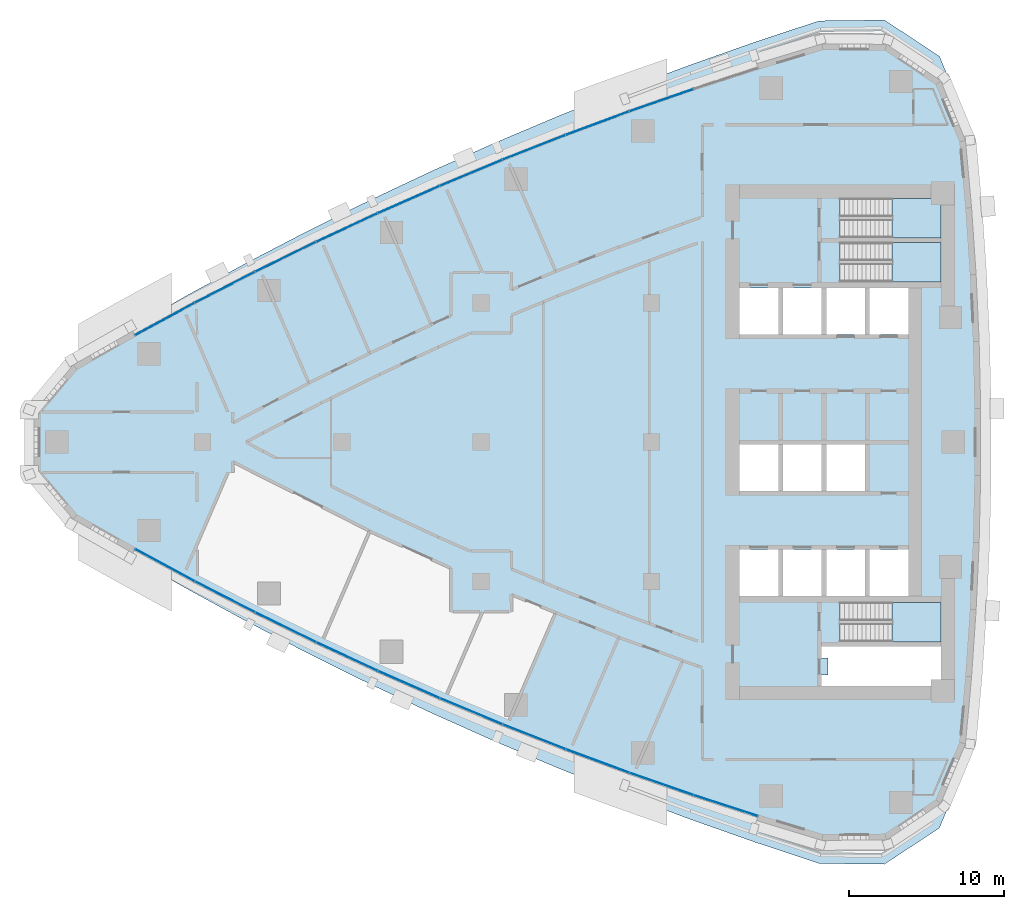
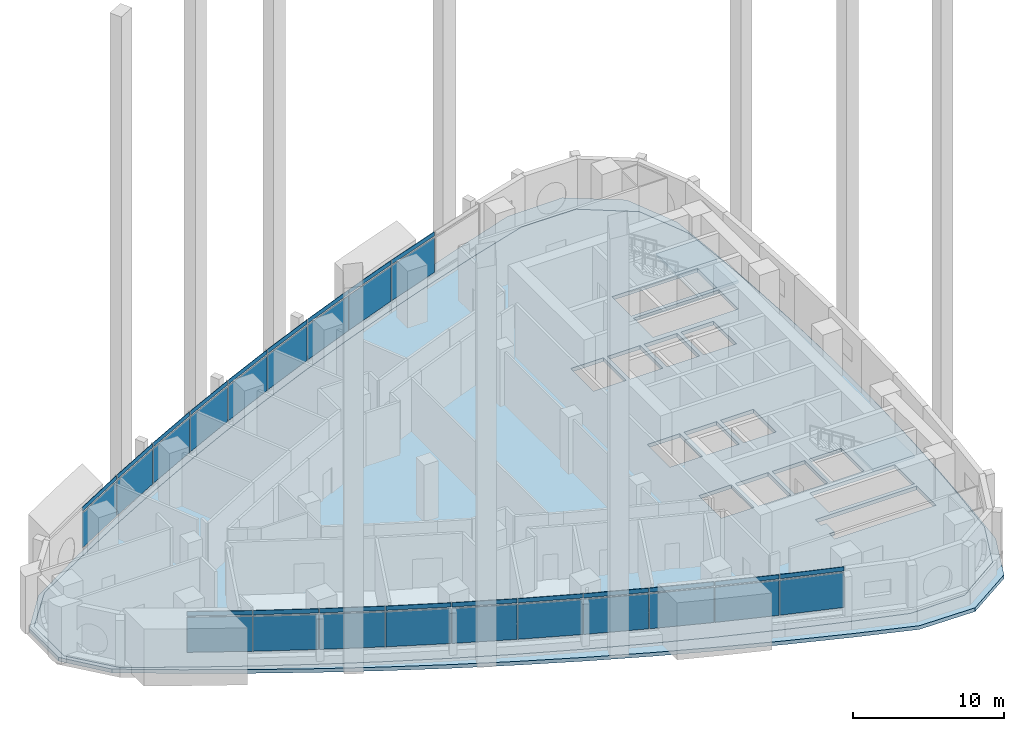
# One storey, part 6 of 17: 38 plates, 5 slabs, 1 opening, 13 elements without a shape of their own.
"""IFC4 building model written with IfcOpenShell, lengths in metres."""

from ifc_helpers import new_model, si_unit, direction, frame, origin, origin_2d, place, context, subcontext, project, spatial, polyline, rectangle, outline, extrude, material, layer, layer_set, type_object, element, aggregate, save


model = new_model("IFC4")

# Units and contexts
model_context = context("Model", 3, precision=1e-05, world=origin(), true_north=direction((0.0, 1.0)))
body_context = subcontext(model_context, "Body", "Model", "MODEL_VIEW")
ifc_project = project(units=[si_unit("LENGTHUNIT", "METRE"), si_unit("AREAUNIT", "SQUARE_METRE"), si_unit("VOLUMEUNIT", "CUBIC_METRE"), si_unit("PLANEANGLEUNIT", "RADIAN"), si_unit("MASSUNIT", "GRAM", prefix="KILO")], contexts=[model_context])

# Site, building, storey
site_placement = place(None, origin())
site = spatial("IfcSite", under=ifc_project, at=site_placement, CompositionType="ELEMENT")
building_placement = place(site_placement, origin())
building = spatial("IfcBuilding", under=site, at=building_placement, Name="Ostrand Prow Hotel Tower", CompositionType="ELEMENT")
storey_placement = place(building_placement, frame((0.0, 0.0, 125.60009765625)))
storey = spatial("IfcBuildingStorey", under=building, at=storey_placement, Name="L30", CompositionType="ELEMENT", Elevation=125.60009765625)

# Curtain wall, plates
ifc_material_1 = material(Name="Insulated glass in bronze anodised frame", Category="glass")
ifc_layer_1 = layer(ifc_material_1, 0.199951171875)
ifc_layer_set_1 = layer_set([ifc_layer_1], Name="Insulated glass in bronze anodised frame")
curtain_wall_type = type_object("IfcCurtainWallType", Name="Sky lobby full-height curtain wall", PredefinedType="NOTDEFINED", material=ifc_layer_set_1)
curtain_wall_1_placement = place(storey_placement, origin())
curtain_wall_1 = element("IfcCurtainWall", 1, at=curtain_wall_1_placement, inside=storey, type_object=curtain_wall_type, Name="CW3 run CWS1", PredefinedType="NOTDEFINED")
ifc_material_2 = material(Name="Low-iron clear glass", Category="glass")
ifc_layer_2 = layer(ifc_material_2, 0.031982421875)
ifc_layer_set_2 = layer_set([ifc_layer_2], Name="Low-iron clear glass")
plate_type_1 = type_object("IfcPlateType", Name="Clear glass unit 32 mm", PredefinedType="CURTAIN_PANEL", material=ifc_layer_set_2)
plate_1_placement = place(storey_placement, frame((13.572509765625, -7.951904296875, 1.02001953125), z_axis=(0.0, 0.0, 1.0), x_axis=(0.879773060847, -0.475393901316, 0.0)))
plate_1 = element("IfcPlate", 2, at=plate_1_placement, type_object=plate_type_1, Name="CW3 PN-C panel 1.2", PredefinedType="CURTAIN_PANEL", context=body_context, shape_type="SweptSolid", body=[
    extrude(rectangle(XDim=4.326171875, YDim=0.031982421875, at=origin_2d()), origin(), (0.0, 0.0, 1.0), 2.820068359375),
])
plate_2_placement = place(storey_placement, frame((13.572509765625, -7.951904296875, 3.9599609375), z_axis=(0.0, 0.0, 1.0), x_axis=(0.879773060847, -0.475393901316, 0.0)))
plate_2 = element("IfcPlate", 3, at=plate_2_placement, type_object=plate_type_1, Name="CW3 PN-C panel 1.3", PredefinedType="CURTAIN_PANEL", context=body_context, shape_type="SweptSolid", body=[
    extrude(rectangle(XDim=4.326171875, YDim=0.031982421875, at=origin_2d()), origin(), (0.0, 0.0, 1.0), 0.340087890625),
])
plate_3_placement = place(storey_placement, frame((17.45166015625, -9.998046875, 1.02001953125), z_axis=(0.0, 0.0, 1.0), x_axis=(0.889148164146, -0.457619429434, 0.0)))
plate_3 = element("IfcPlate", 4, at=plate_3_placement, type_object=plate_type_1, Name="CW3 PN-C panel 2.2", PredefinedType="CURTAIN_PANEL", context=body_context, shape_type="SweptSolid", body=[
    extrude(rectangle(XDim=4.326171875, YDim=0.031982421875, at=origin_2d()), origin(), (0.0, 0.0, 1.0), 2.820068359375),
])

curtain_wall_2_placement = place(storey_placement, origin())
curtain_wall_2 = element("IfcCurtainWall", 5, at=curtain_wall_2_placement, inside=storey, type_object=curtain_wall_type, Name="CW3 run CWS2", PredefinedType="NOTDEFINED")
plate_4_placement = place(storey_placement, frame((21.371337890625, -11.9658203125, 1.02001953125), z_axis=(0.0, 0.0, 1.0), x_axis=(0.898164975061, -0.439658592061, 0.0)))
plate_4 = element("IfcPlate", 6, at=plate_4_placement, type_object=plate_type_1, Name="CW3 PN-C panel 1.2", PredefinedType="CURTAIN_PANEL", context=body_context, shape_type="SweptSolid", body=[
    extrude(rectangle(XDim=4.326171875, YDim=0.031982421875, at=origin_2d()), origin(), (0.0, 0.0, 1.0), 2.820068359375),
])
plate_5_placement = place(storey_placement, frame((25.329833984375, -13.8544921875, 1.02001953125), z_axis=(0.0, 0.0, 1.0), x_axis=(0.906818286337, -0.421521761673, 0.0)))
plate_5 = element("IfcPlate", 7, at=plate_5_placement, type_object=plate_type_1, Name="CW3 PN-C panel 2.2", PredefinedType="CURTAIN_PANEL", context=body_context, shape_type="SweptSolid", body=[
    extrude(rectangle(XDim=4.326171875, YDim=0.031982421875, at=origin_2d()), origin(), (0.0, 0.0, 1.0), 2.820068359375),
])

curtain_wall_3_placement = place(storey_placement, origin())
curtain_wall_3 = element("IfcCurtainWall", 8, at=curtain_wall_3_placement, inside=storey, type_object=curtain_wall_type, Name="CW3 run CWS3", PredefinedType="NOTDEFINED")
plate_6_placement = place(storey_placement, frame((29.3251953125, -15.6630859375, 1.02001953125), z_axis=(0.0, 0.0, 1.0), x_axis=(0.915106105993, -0.403213113347, 0.0)))
plate_6 = element("IfcPlate", 9, at=plate_6_placement, type_object=plate_type_1, Name="CW3 PN-C panel 1.2", PredefinedType="CURTAIN_PANEL", context=body_context, shape_type="SweptSolid", body=[
    extrude(rectangle(XDim=4.326171875, YDim=0.031982421875, at=origin_2d()), origin(), (0.0, 0.0, 1.0), 2.820068359375),
])
plate_7_placement = place(storey_placement, frame((29.3251953125, -15.6630859375, 3.9599609375), z_axis=(0.0, 0.0, 1.0), x_axis=(0.915106105993, -0.403213113347, 0.0)))
plate_7 = element("IfcPlate", 10, at=plate_7_placement, type_object=plate_type_1, Name="CW3 PN-C panel 1.3", PredefinedType="CURTAIN_PANEL", context=body_context, shape_type="SweptSolid", body=[
    extrude(rectangle(XDim=4.326171875, YDim=0.031982421875, at=origin_2d()), origin(), (0.0, 0.0, 1.0), 0.340087890625),
])
plate_8_placement = place(storey_placement, frame((33.3564453125, -17.39111328125, 1.02001953125), z_axis=(0.0, 0.0, 1.0), x_axis=(0.92302364777, -0.384743220418, 0.0)))
plate_8 = element("IfcPlate", 11, at=plate_8_placement, type_object=plate_type_1, Name="CW3 PN-C panel 2.2", PredefinedType="CURTAIN_PANEL", context=body_context, shape_type="SweptSolid", body=[
    extrude(rectangle(XDim=4.326171875, YDim=0.031982421875, at=origin_2d()), origin(), (0.0, 0.0, 1.0), 2.820068359375),
])

curtain_wall_4_placement = place(storey_placement, origin())
curtain_wall_4 = element("IfcCurtainWall", 12, at=curtain_wall_4_placement, inside=storey, type_object=curtain_wall_type, Name="CW3 run CWS4", PredefinedType="NOTDEFINED")
plate_9_placement = place(storey_placement, frame((37.42138671875, -19.037841796875, 1.02001953125), z_axis=(0.0, 0.0, 1.0), x_axis=(0.930569089059, -0.366116334636, 0.0)))
plate_9 = element("IfcPlate", 13, at=plate_9_placement, type_object=plate_type_1, Name="CW3 PN-C panel 1.2", PredefinedType="CURTAIN_PANEL", context=body_context, shape_type="SweptSolid", body=[
    extrude(rectangle(XDim=4.326171875, YDim=0.031982421875, at=origin_2d()), origin(), (0.0, 0.0, 1.0), 2.820068359375),
])
plate_10_placement = place(storey_placement, frame((41.518798828125, -20.6025390625, 1.02001953125), z_axis=(0.0, 0.0, 1.0), x_axis=(0.937738678558, -0.347341576459, 0.0)))
plate_10 = element("IfcPlate", 14, at=plate_10_placement, type_object=plate_type_1, Name="CW3 PN-C panel 2.2", PredefinedType="CURTAIN_PANEL", context=body_context, shape_type="SweptSolid", body=[
    extrude(rectangle(XDim=4.326171875, YDim=0.031982421875, at=origin_2d()), origin(), (0.0, 0.0, 1.0), 2.820068359375),
])

curtain_wall_5_placement = place(storey_placement, origin())
curtain_wall_5 = element("IfcCurtainWall", 15, at=curtain_wall_5_placement, inside=storey, type_object=curtain_wall_type, Name="CW3 run CWS5", PredefinedType="NOTDEFINED")
plate_11_placement = place(storey_placement, frame((45.646484375, -22.08447265625, 1.02001953125), z_axis=(0.0, 0.0, 1.0), x_axis=(0.944528947293, -0.328428177424, 0.0)))
plate_11 = element("IfcPlate", 16, at=plate_11_placement, type_object=plate_type_1, Name="CW3 PN-C panel 1.2", PredefinedType="CURTAIN_PANEL", context=body_context, shape_type="SweptSolid", body=[
    extrude(rectangle(XDim=4.326171875, YDim=0.031982421875, at=origin_2d()), origin(), (0.0, 0.0, 1.0), 2.820068359375),
])
plate_12_placement = place(storey_placement, frame((45.646484375, -22.08447265625, 3.9599609375), z_axis=(0.0, 0.0, 1.0), x_axis=(0.944528947293, -0.328428177424, 0.0)))
plate_12 = element("IfcPlate", 17, at=plate_12_placement, type_object=plate_type_1, Name="CW3 PN-C panel 1.3", PredefinedType="CURTAIN_PANEL", context=body_context, shape_type="SweptSolid", body=[
    extrude(rectangle(XDim=4.326171875, YDim=0.031982421875, at=origin_2d()), origin(), (0.0, 0.0, 1.0), 0.340087890625),
])
plate_13_placement = place(storey_placement, frame((49.803466796875, -23.483154296875, 1.02001953125), z_axis=(0.0, 0.0, 1.0), x_axis=(0.950938332153, -0.309380491373, 0.0)))
plate_13 = element("IfcPlate", 18, at=plate_13_placement, type_object=plate_type_1, Name="CW3 PN-C panel 2.2", PredefinedType="CURTAIN_PANEL", context=body_context, shape_type="SweptSolid", body=[
    extrude(rectangle(XDim=4.326171875, YDim=0.031982421875, at=origin_2d()), origin(), (0.0, 0.0, 1.0), 2.820068359375),
])

# Curtain wall, plate
curtain_wall_6_placement = place(storey_placement, origin())
curtain_wall_6 = element("IfcCurtainWall", 19, at=curtain_wall_6_placement, inside=storey, type_object=curtain_wall_type, Name="CW3 run CWN1", PredefinedType="NOTDEFINED")
plate_14_placement = place(storey_placement, frame((45.646484375, 22.08447265625, 1.02001953125), z_axis=(0.0, 0.0, 1.0), x_axis=(-0.944528947293, -0.328428177424, 0.0)))
plate_14 = element("IfcPlate", 20, at=plate_14_placement, type_object=plate_type_1, Name="CW3 PN-C panel 2.2", PredefinedType="CURTAIN_PANEL", context=body_context, shape_type="SweptSolid", body=[
    extrude(rectangle(XDim=4.326171875, YDim=0.031982421875, at=origin_2d()), origin(), (0.0, 0.0, 1.0), 2.820068359375),
])

# Curtain wall, plates
curtain_wall_7_placement = place(storey_placement, origin())
curtain_wall_7 = element("IfcCurtainWall", 21, at=curtain_wall_7_placement, inside=storey, type_object=curtain_wall_type, Name="CW3 run CWN2", PredefinedType="NOTDEFINED")
plate_15_placement = place(storey_placement, frame((41.518798828125, 20.6025390625, 1.02001953125), z_axis=(0.0, 0.0, 1.0), x_axis=(-0.937738678558, -0.347341576459, 0.0)))
plate_15 = element("IfcPlate", 22, at=plate_15_placement, type_object=plate_type_1, Name="CW3 PN-C panel 1.2", PredefinedType="CURTAIN_PANEL", context=body_context, shape_type="SweptSolid", body=[
    extrude(rectangle(XDim=4.326171875, YDim=0.031982421875, at=origin_2d()), origin(), (0.0, 0.0, 1.0), 2.820068359375),
])
plate_16_placement = place(storey_placement, frame((37.42138671875, 19.037841796875, 1.02001953125), z_axis=(0.0, 0.0, 1.0), x_axis=(-0.930569089059, -0.366116334636, 0.0)))
plate_16 = element("IfcPlate", 23, at=plate_16_placement, type_object=plate_type_1, Name="CW3 PN-C panel 2.2", PredefinedType="CURTAIN_PANEL", context=body_context, shape_type="SweptSolid", body=[
    extrude(rectangle(XDim=4.326171875, YDim=0.031982421875, at=origin_2d()), origin(), (0.0, 0.0, 1.0), 2.820068359375),
])

curtain_wall_8_placement = place(storey_placement, origin())
curtain_wall_8 = element("IfcCurtainWall", 24, at=curtain_wall_8_placement, inside=storey, type_object=curtain_wall_type, Name="CW3 run CWN3", PredefinedType="NOTDEFINED")
plate_17_placement = place(storey_placement, frame((33.3564453125, 17.39111328125, 1.02001953125), z_axis=(0.0, 0.0, 1.0), x_axis=(-0.92302364777, -0.384743220418, 0.0)))
plate_17 = element("IfcPlate", 25, at=plate_17_placement, type_object=plate_type_1, Name="CW3 PN-C panel 1.2", PredefinedType="CURTAIN_PANEL", context=body_context, shape_type="SweptSolid", body=[
    extrude(rectangle(XDim=4.326171875, YDim=0.031982421875, at=origin_2d()), origin(), (0.0, 0.0, 1.0), 2.820068359375),
])
plate_18_placement = place(storey_placement, frame((33.3564453125, 17.39111328125, 3.9599609375), z_axis=(0.0, 0.0, 1.0), x_axis=(-0.92302364777, -0.384743220418, 0.0)))
plate_18 = element("IfcPlate", 26, at=plate_18_placement, type_object=plate_type_1, Name="CW3 PN-C panel 1.3", PredefinedType="CURTAIN_PANEL", context=body_context, shape_type="SweptSolid", body=[
    extrude(rectangle(XDim=4.326171875, YDim=0.031982421875, at=origin_2d()), origin(), (0.0, 0.0, 1.0), 0.340087890625),
])
plate_19_placement = place(storey_placement, frame((29.3251953125, 15.6630859375, 1.02001953125), z_axis=(0.0, 0.0, 1.0), x_axis=(-0.915106105993, -0.403213113347, 0.0)))
plate_19 = element("IfcPlate", 27, at=plate_19_placement, type_object=plate_type_1, Name="CW3 PN-C panel 2.2", PredefinedType="CURTAIN_PANEL", context=body_context, shape_type="SweptSolid", body=[
    extrude(rectangle(XDim=4.326171875, YDim=0.031982421875, at=origin_2d()), origin(), (0.0, 0.0, 1.0), 2.820068359375),
])

curtain_wall_9_placement = place(storey_placement, origin())
curtain_wall_9 = element("IfcCurtainWall", 28, at=curtain_wall_9_placement, inside=storey, type_object=curtain_wall_type, Name="CW3 run CWN4", PredefinedType="NOTDEFINED")
plate_20_placement = place(storey_placement, frame((25.329833984375, 13.8544921875, 1.02001953125), z_axis=(0.0, 0.0, 1.0), x_axis=(-0.906818286337, -0.421521761673, 0.0)))
plate_20 = element("IfcPlate", 29, at=plate_20_placement, type_object=plate_type_1, Name="CW3 PN-C panel 1.2", PredefinedType="CURTAIN_PANEL", context=body_context, shape_type="SweptSolid", body=[
    extrude(rectangle(XDim=4.326171875, YDim=0.031982421875, at=origin_2d()), origin(), (0.0, 0.0, 1.0), 2.820068359375),
])
plate_21_placement = place(storey_placement, frame((21.371337890625, 11.9658203125, 1.02001953125), z_axis=(0.0, 0.0, 1.0), x_axis=(-0.898164975061, -0.439658592061, 0.0)))
plate_21 = element("IfcPlate", 30, at=plate_21_placement, type_object=plate_type_1, Name="CW3 PN-C panel 2.2", PredefinedType="CURTAIN_PANEL", context=body_context, shape_type="SweptSolid", body=[
    extrude(rectangle(XDim=4.326171875, YDim=0.031982421875, at=origin_2d()), origin(), (0.0, 0.0, 1.0), 2.820068359375),
])

curtain_wall_10_placement = place(storey_placement, origin())
curtain_wall_10 = element("IfcCurtainWall", 31, at=curtain_wall_10_placement, inside=storey, type_object=curtain_wall_type, Name="CW3 run CWN5", PredefinedType="NOTDEFINED")
plate_22_placement = place(storey_placement, frame((17.45166015625, 9.998046875, 1.02001953125), z_axis=(0.0, 0.0, 1.0), x_axis=(-0.889148164146, -0.457619429434, 0.0)))
plate_22 = element("IfcPlate", 32, at=plate_22_placement, type_object=plate_type_1, Name="CW3 PN-C panel 1.2", PredefinedType="CURTAIN_PANEL", context=body_context, shape_type="SweptSolid", body=[
    extrude(rectangle(XDim=4.326171875, YDim=0.031982421875, at=origin_2d()), origin(), (0.0, 0.0, 1.0), 2.820068359375),
])
plate_23_placement = place(storey_placement, frame((17.45166015625, 9.998046875, 3.9599609375), z_axis=(0.0, 0.0, 1.0), x_axis=(-0.889148164146, -0.457619429434, 0.0)))
plate_23 = element("IfcPlate", 33, at=plate_23_placement, type_object=plate_type_1, Name="CW3 PN-C panel 1.3", PredefinedType="CURTAIN_PANEL", context=body_context, shape_type="SweptSolid", body=[
    extrude(rectangle(XDim=4.326171875, YDim=0.031982421875, at=origin_2d()), origin(), (0.0, 0.0, 1.0), 0.340087890625),
])
plate_24_placement = place(storey_placement, frame((13.572509765625, 7.951904296875, 1.02001953125), z_axis=(0.0, 0.0, 1.0), x_axis=(-0.879773060847, -0.475393901316, 0.0)))
plate_24 = element("IfcPlate", 34, at=plate_24_placement, type_object=plate_type_1, Name="CW3 PN-C panel 2.2", PredefinedType="CURTAIN_PANEL", context=body_context, shape_type="SweptSolid", body=[
    extrude(rectangle(XDim=4.326171875, YDim=0.031982421875, at=origin_2d()), origin(), (0.0, 0.0, 1.0), 2.820068359375),
])

# Plate
ifc_material_3 = material(Name="Ceramic-fritted glass", Category="glass")
ifc_layer_3 = layer(ifc_material_3, 0.031982421875)
ifc_layer_set_3 = layer_set([ifc_layer_3], Name="Ceramic-fritted glass")
plate_type_2 = type_object("IfcPlateType", Name="Dot-fritted ceramic glass unit 32 mm", PredefinedType="CURTAIN_PANEL", material=ifc_layer_set_3)
plate_25_placement = place(storey_placement, frame((17.45166015625, -9.998046875, 3.9599609375), z_axis=(0.0, 0.0, 1.0), x_axis=(0.889148164146, -0.457619429434, 0.0)))
plate_25 = element("IfcPlate", 35, at=plate_25_placement, type_object=plate_type_2, Name="CW3 PN-D panel 2.3", PredefinedType="CURTAIN_PANEL", context=body_context, shape_type="SweptSolid", body=[
    extrude(rectangle(XDim=4.326171875, YDim=0.031982421875, at=origin_2d()), origin(), (0.0, 0.0, 1.0), 0.340087890625),
])

aggregate(curtain_wall_1, [plate_1, plate_2, plate_3, plate_25])

plate_26_placement = place(storey_placement, frame((25.329833984375, -13.8544921875, 3.9599609375), z_axis=(0.0, 0.0, 1.0), x_axis=(0.906818286337, -0.421521761673, 0.0)))
plate_26 = element("IfcPlate", 36, at=plate_26_placement, type_object=plate_type_2, Name="CW3 PN-D panel 2.3", PredefinedType="CURTAIN_PANEL", context=body_context, shape_type="SweptSolid", body=[
    extrude(rectangle(XDim=4.326171875, YDim=0.031982421875, at=origin_2d()), origin(), (0.0, 0.0, 1.0), 0.340087890625),
])

plate_27_placement = place(storey_placement, frame((33.3564453125, -17.39111328125, 3.9599609375), z_axis=(0.0, 0.0, 1.0), x_axis=(0.92302364777, -0.384743220418, 0.0)))
plate_27 = element("IfcPlate", 37, at=plate_27_placement, type_object=plate_type_2, Name="CW3 PN-D panel 2.3", PredefinedType="CURTAIN_PANEL", context=body_context, shape_type="SweptSolid", body=[
    extrude(rectangle(XDim=4.326171875, YDim=0.031982421875, at=origin_2d()), origin(), (0.0, 0.0, 1.0), 0.340087890625),
])

aggregate(curtain_wall_3, [plate_6, plate_7, plate_8, plate_27])

plate_28_placement = place(storey_placement, frame((41.518798828125, -20.6025390625, 3.9599609375), z_axis=(0.0, 0.0, 1.0), x_axis=(0.937738678558, -0.347341576459, 0.0)))
plate_28 = element("IfcPlate", 38, at=plate_28_placement, type_object=plate_type_2, Name="CW3 PN-D panel 2.3", PredefinedType="CURTAIN_PANEL", context=body_context, shape_type="SweptSolid", body=[
    extrude(rectangle(XDim=4.326171875, YDim=0.031982421875, at=origin_2d()), origin(), (0.0, 0.0, 1.0), 0.340087890625),
])

plate_29_placement = place(storey_placement, frame((49.803466796875, -23.483154296875, 3.9599609375), z_axis=(0.0, 0.0, 1.0), x_axis=(0.950938332153, -0.309380491373, 0.0)))
plate_29 = element("IfcPlate", 39, at=plate_29_placement, type_object=plate_type_2, Name="CW3 PN-D panel 2.3", PredefinedType="CURTAIN_PANEL", context=body_context, shape_type="SweptSolid", body=[
    extrude(rectangle(XDim=4.326171875, YDim=0.031982421875, at=origin_2d()), origin(), (0.0, 0.0, 1.0), 0.340087890625),
])

aggregate(curtain_wall_5, [plate_11, plate_12, plate_13, plate_29])

plate_30_placement = place(storey_placement, frame((45.646484375, 22.08447265625, 3.9599609375), z_axis=(0.0, 0.0, 1.0), x_axis=(-0.944528947293, -0.328428177424, 0.0)))
plate_30 = element("IfcPlate", 40, at=plate_30_placement, type_object=plate_type_2, Name="CW3 PN-D panel 2.3", PredefinedType="CURTAIN_PANEL", context=body_context, shape_type="SweptSolid", body=[
    extrude(rectangle(XDim=4.326171875, YDim=0.031982421875, at=origin_2d()), origin(), (0.0, 0.0, 1.0), 0.340087890625),
])

aggregate(curtain_wall_6, [plate_14, plate_30])

plate_31_placement = place(storey_placement, frame((37.42138671875, 19.037841796875, 3.9599609375), z_axis=(0.0, 0.0, 1.0), x_axis=(-0.930569089059, -0.366116334636, 0.0)))
plate_31 = element("IfcPlate", 41, at=plate_31_placement, type_object=plate_type_2, Name="CW3 PN-D panel 2.3", PredefinedType="CURTAIN_PANEL", context=body_context, shape_type="SweptSolid", body=[
    extrude(rectangle(XDim=4.326171875, YDim=0.031982421875, at=origin_2d()), origin(), (0.0, 0.0, 1.0), 0.340087890625),
])

plate_32_placement = place(storey_placement, frame((29.3251953125, 15.6630859375, 3.9599609375), z_axis=(0.0, 0.0, 1.0), x_axis=(-0.915106105993, -0.403213113347, 0.0)))
plate_32 = element("IfcPlate", 42, at=plate_32_placement, type_object=plate_type_2, Name="CW3 PN-D panel 2.3", PredefinedType="CURTAIN_PANEL", context=body_context, shape_type="SweptSolid", body=[
    extrude(rectangle(XDim=4.326171875, YDim=0.031982421875, at=origin_2d()), origin(), (0.0, 0.0, 1.0), 0.340087890625),
])

aggregate(curtain_wall_8, [plate_17, plate_18, plate_19, plate_32])

plate_33_placement = place(storey_placement, frame((21.371337890625, 11.9658203125, 3.9599609375), z_axis=(0.0, 0.0, 1.0), x_axis=(-0.898164975061, -0.439658592061, 0.0)))
plate_33 = element("IfcPlate", 43, at=plate_33_placement, type_object=plate_type_2, Name="CW3 PN-D panel 2.3", PredefinedType="CURTAIN_PANEL", context=body_context, shape_type="SweptSolid", body=[
    extrude(rectangle(XDim=4.326171875, YDim=0.031982421875, at=origin_2d()), origin(), (0.0, 0.0, 1.0), 0.340087890625),
])

plate_34_placement = place(storey_placement, frame((13.572509765625, 7.951904296875, 3.9599609375), z_axis=(0.0, 0.0, 1.0), x_axis=(-0.879773060847, -0.475393901316, 0.0)))
plate_34 = element("IfcPlate", 44, at=plate_34_placement, type_object=plate_type_2, Name="CW3 PN-D panel 2.3", PredefinedType="CURTAIN_PANEL", context=body_context, shape_type="SweptSolid", body=[
    extrude(rectangle(XDim=4.326171875, YDim=0.031982421875, at=origin_2d()), origin(), (0.0, 0.0, 1.0), 0.340087890625),
])

aggregate(curtain_wall_10, [plate_22, plate_23, plate_24, plate_34])

ifc_material_4 = material(Name="Ceramic-fritted glass", Category="glass")
ifc_layer_4 = layer(ifc_material_4, 0.031982421875)
ifc_layer_set_4 = layer_set([ifc_layer_4], Name="Ceramic-fritted glass")
plate_type_3 = type_object("IfcPlateType", Name="Line-fritted ceramic glass unit 32 mm", PredefinedType="CURTAIN_PANEL", material=ifc_layer_set_4)
plate_35_placement = place(storey_placement, frame((21.371337890625, -11.9658203125, 3.9599609375), z_axis=(0.0, 0.0, 1.0), x_axis=(0.898164975061, -0.439658592061, 0.0)))
plate_35 = element("IfcPlate", 45, at=plate_35_placement, type_object=plate_type_3, Name="CW3 PN-L panel 1.3", PredefinedType="CURTAIN_PANEL", context=body_context, shape_type="SweptSolid", body=[
    extrude(rectangle(XDim=4.326171875, YDim=0.031982421875, at=origin_2d()), origin(), (0.0, 0.0, 1.0), 0.340087890625),
])

aggregate(curtain_wall_2, [plate_4, plate_35, plate_5, plate_26])

plate_36_placement = place(storey_placement, frame((37.42138671875, -19.037841796875, 3.9599609375), z_axis=(0.0, 0.0, 1.0), x_axis=(0.930569089059, -0.366116334636, 0.0)))
plate_36 = element("IfcPlate", 46, at=plate_36_placement, type_object=plate_type_3, Name="CW3 PN-L panel 1.3", PredefinedType="CURTAIN_PANEL", context=body_context, shape_type="SweptSolid", body=[
    extrude(rectangle(XDim=4.326171875, YDim=0.031982421875, at=origin_2d()), origin(), (0.0, 0.0, 1.0), 0.340087890625),
])

aggregate(curtain_wall_4, [plate_9, plate_36, plate_10, plate_28])

plate_37_placement = place(storey_placement, frame((41.518798828125, 20.6025390625, 3.9599609375), z_axis=(0.0, 0.0, 1.0), x_axis=(-0.937738678558, -0.347341576459, 0.0)))
plate_37 = element("IfcPlate", 47, at=plate_37_placement, type_object=plate_type_3, Name="CW3 PN-L panel 1.3", PredefinedType="CURTAIN_PANEL", context=body_context, shape_type="SweptSolid", body=[
    extrude(rectangle(XDim=4.326171875, YDim=0.031982421875, at=origin_2d()), origin(), (0.0, 0.0, 1.0), 0.340087890625),
])

aggregate(curtain_wall_7, [plate_15, plate_37, plate_16, plate_31])

plate_38_placement = place(storey_placement, frame((25.329833984375, 13.8544921875, 3.9599609375), z_axis=(0.0, 0.0, 1.0), x_axis=(-0.906818286337, -0.421521761673, 0.0)))
plate_38 = element("IfcPlate", 48, at=plate_38_placement, type_object=plate_type_3, Name="CW3 PN-L panel 1.3", PredefinedType="CURTAIN_PANEL", context=body_context, shape_type="SweptSolid", body=[
    extrude(rectangle(XDim=4.326171875, YDim=0.031982421875, at=origin_2d()), origin(), (0.0, 0.0, 1.0), 0.340087890625),
])

aggregate(curtain_wall_9, [plate_20, plate_38, plate_21, plate_33])

# Slab, opening
ifc_material_5 = material(Name="Concrete C40/50", Category="concrete")
ifc_layer_5 = layer(ifc_material_5, 0.300048828125)
ifc_layer_set_5 = layer_set([ifc_layer_5], Name="Concrete C40/50")
slab_type_1 = type_object("IfcSlabType", Name="PT flat plate 300 C40/50", PredefinedType="FLOOR", material=ifc_layer_set_5)
slab_1_placement = place(storey_placement, frame((0.0, 0.0, -0.300048828125)))
slab_1 = element("IfcSlab", 49, at=slab_1_placement, inside=storey, type_object=slab_type_1, Name="Floor slab L30-1", PredefinedType="FLOOR", context=body_context, shape_type="SweptSolid", body=[
    extrude(outline(polyline([(7.658203125, 4.952880859375), (11.51611328125, 7.138916015625), (15.37939453125, 9.2265625), (19.283935546875, 11.236083984375), (23.228271484375, 13.166748046875), (27.210205078125, 15.017822265625), (31.22900390625, 16.788330078125), (35.2822265625, 18.47802734375), (39.36865234375, 20.085693359375), (43.486572265625, 21.611083984375), (47.63427734375, 23.05322265625), (51.810302734375, 24.411865234375), (56.046630859375, 25.696533203125), (60.193115234375, 25.6640625), (63.664306640625, 23.328125), (65.256103515625, 19.498779296875), (65.650390625, 15.148681640625), (65.944091796875, 10.825927734375), (66.139892578125, 6.497802734375), (66.23779296875, 2.166259765625), (66.23779296875, -2.166259765625), (66.139892578125, -6.497802734375), (65.944091796875, -10.825927734375), (65.650390625, -15.148681640625), (65.256103515625, -19.498779296875), (63.664306640625, -23.328125), (60.193115234375, -25.6640625), (56.046630859375, -25.696533203125), (51.810302734375, -24.411865234375), (47.63427734375, -23.05322265625), (43.486572265625, -21.611083984375), (39.36865234375, -20.085693359375), (35.2822265625, -18.47802734375), (31.22900390625, -16.788330078125), (27.210205078125, -15.017822265625), (23.228271484375, -13.166748046875), (19.283935546875, -11.236083984375), (15.37939453125, -9.2265625), (11.51611328125, -7.138916015625), (7.658203125, -4.952880859375), (5.16064453125, -1.968505859375), (5.16064453125, 1.968505859375), (7.658203125, 4.952880859375)]), holes=[polyline([(50.699951171875, 6.949951171875), (53.199951171875, 6.949951171875), (53.199951171875, 9.949951171875), (50.699951171875, 9.949951171875), (50.699951171875, 6.949951171875)]), polyline([(53.5, 6.949951171875), (56.0, 6.949951171875), (56.0, 9.949951171875), (53.5, 9.949951171875), (53.5, 6.949951171875)]), polyline([(56.300048828125, 6.949951171875), (58.800048828125, 6.949951171875), (58.800048828125, 9.949951171875), (56.300048828125, 9.949951171875), (56.300048828125, 6.949951171875)]), polyline([(59.10009765625, 6.949951171875), (61.60009765625, 6.949951171875), (61.60009765625, 9.949951171875), (59.10009765625, 9.949951171875), (59.10009765625, 6.949951171875)]), polyline([(50.699951171875, -3.14990234375), (53.199951171875, -3.14990234375), (53.199951171875, -0.14990234375), (50.699951171875, -0.14990234375), (50.699951171875, -3.14990234375)]), polyline([(53.5, -3.14990234375), (56.0, -3.14990234375), (56.0, -0.14990234375), (53.5, -0.14990234375), (53.5, -3.14990234375)]), polyline([(56.300048828125, -3.14990234375), (58.800048828125, -3.14990234375), (58.800048828125, -0.14990234375), (56.300048828125, -0.14990234375), (56.300048828125, -3.14990234375)]), polyline([(50.699951171875, -9.949951171875), (53.199951171875, -9.949951171875), (53.199951171875, -6.949951171875), (50.699951171875, -6.949951171875), (50.699951171875, -9.949951171875)]), polyline([(53.5, -9.949951171875), (56.0, -9.949951171875), (56.0, -6.949951171875), (53.5, -6.949951171875), (53.5, -9.949951171875)]), polyline([(56.300048828125, -9.949951171875), (58.800048828125, -9.949951171875), (58.800048828125, -6.949951171875), (56.300048828125, -6.949951171875), (56.300048828125, -9.949951171875)]), polyline([(59.10009765625, -9.949951171875), (61.60009765625, -9.949951171875), (61.60009765625, -6.949951171875), (59.10009765625, -6.949951171875), (59.10009765625, -9.949951171875)]), polyline([(57.200927734375, 10.35107421875), (57.200927734375, 12.89892578125), (63.718994140625, 12.89892578125), (63.718994140625, 10.35107421875), (57.200927734375, 10.35107421875)]), polyline([(57.200927734375, 13.200927734375), (57.200927734375, 15.7490234375), (63.718994140625, 15.7490234375), (63.718994140625, 13.200927734375), (57.200927734375, 13.200927734375)]), polyline([(57.200927734375, -12.89892578125), (57.200927734375, -10.35107421875), (63.718994140625, -10.35107421875), (63.718994140625, -12.89892578125), (57.200927734375, -12.89892578125)]), polyline([(56.0, -13.199951171875), (63.719970703125, -13.199951171875), (63.719970703125, -15.75), (56.0, -15.75), (56.0, -15.050048828125), (56.39990234375, -15.050048828125), (56.39990234375, -13.949951171875), (56.0, -13.949951171875), (56.0, -13.199951171875)])]), origin(), (0.0, 0.0, 1.0), 0.300048828125),
])
opening_placement = place(slab_1_placement, origin())
element("IfcOpeningElement", 50, at=opening_placement, cuts=slab_1, Name="Shaft opening 1", PredefinedType="OPENING", context=body_context, shape_type="SweptSolid", body=[
    extrude(outline(polyline([(56.0, -13.199951171875), (63.719970703125, -13.199951171875), (63.719970703125, -15.75), (56.0, -15.75), (56.0, -15.050048828125), (56.39990234375, -15.050048828125), (56.39990234375, -13.949951171875), (56.0, -13.949951171875), (56.0, -13.199951171875)])), origin(), (0.0, 0.0, 1.0), 0.300048828125),
])

# Slab
ifc_material_6 = material(Name="Concrete C40/50", Category="concrete")
ifc_layer_6 = layer(ifc_material_6, 0.300048828125)
ifc_layer_set_6 = layer_set([ifc_layer_6], Name="Concrete C40/50")
slab_type_2 = type_object("IfcSlabType", Name="Roof slab 300 C40/50", PredefinedType="ROOF", material=ifc_layer_set_6)
slab_2_placement = place(storey_placement, frame((0.0, 0.0, -0.300048828125)))
element("IfcSlab", 51, at=slab_2_placement, inside=storey, type_object=slab_type_2, Name="Ledge roof slab L30.1", PredefinedType="ROOF", context=body_context, shape_type="SweptSolid", body=[
    extrude(outline(polyline([(11.01806640625, 7.19970703125), (14.89501953125, 9.4208984375), (18.81591796875, 11.56396484375), (22.77880859375, 13.628173828125), (26.7822265625, 15.61279296875), (30.82470703125, 17.5166015625), (34.904541015625, 19.339111328125), (39.02001953125, 21.07958984375), (43.16943359375, 22.7373046875), (47.351318359375, 24.311279296875), (51.563720703125, 25.801513671875), (55.839599609375, 27.218505859375), (60.05615234375, 27.271728515625), (63.6103515625, 24.932861328125), (65.2294921875, 21.039306640625), (65.598876953125, 16.81201171875), (65.883544921875, 12.614501953125), (66.087158203125, 8.412353515625), (66.209228515625, 4.206787109375), (66.2216796875, 2.919189453125), (66.140869140625, 6.497802734375), (65.945068359375, 10.826171875), (65.651611328125, 15.148681640625), (65.257080078125, 19.4990234375), (63.6650390625, 23.328857421875), (60.193603515625, 25.6650390625), (56.04638671875, 25.697509765625), (51.809814453125, 24.412841796875), (47.634033203125, 23.05419921875), (43.486083984375, 21.612060546875), (39.368408203125, 20.086669921875), (35.28173828125, 18.47900390625), (31.228515625, 16.789306640625), (27.2099609375, 15.018798828125), (23.227783203125, 13.16748046875), (19.28369140625, 11.23681640625), (15.37890625, 9.227294921875), (11.515625, 7.1396484375), (7.65771484375, 4.95361328125), (5.15966796875, 1.968994140625), (5.15966796875, -1.968994140625), (7.65771484375, -4.95361328125), (11.515625, -7.1396484375), (15.37890625, -9.227294921875), (19.28369140625, -11.23681640625), (23.227783203125, -13.16748046875), (27.2099609375, -15.018798828125), (31.228515625, -16.789306640625), (35.28173828125, -18.47900390625), (39.368408203125, -20.086669921875), (43.486083984375, -21.612060546875), (47.634033203125, -23.05419921875), (51.809814453125, -24.412841796875), (56.04638671875, -25.697509765625), (60.193603515625, -25.6650390625), (63.6650390625, -23.328857421875), (65.257080078125, -19.4990234375), (65.651611328125, -15.148681640625), (65.945068359375, -10.826171875), (66.140869140625, -6.497802734375), (66.2216796875, -2.919189453125), (66.209228515625, -4.206787109375), (66.087158203125, -8.412353515625), (65.883544921875, -12.614501953125), (65.598876953125, -16.81201171875), (65.2294921875, -21.039306640625), (63.6103515625, -24.932861328125), (60.05615234375, -27.271728515625), (55.839599609375, -27.218505859375), (51.563720703125, -25.801513671875), (47.351318359375, -24.311279296875), (43.16943359375, -22.7373046875), (39.02001953125, -21.07958984375), (34.904541015625, -19.339111328125), (30.82470703125, -17.5166015625), (26.7822265625, -15.61279296875), (22.77880859375, -13.628173828125), (18.81591796875, -11.56396484375), (14.89501953125, -9.4208984375), (11.01806640625, -7.19970703125), (7.150390625, -4.879638671875), (4.75830078125, -1.923583984375), (4.75830078125, 1.923583984375), (7.150390625, 4.879638671875), (11.01806640625, 7.19970703125)])), origin(), (0.0, 0.0, 1.0), 0.300048828125),
])

# Stair, slab
ifc_material_7 = material(Name="Concrete C40/50", Category="concrete")
stair_type = type_object("IfcStairType", Name="Exit stair 1200 upper zone", PredefinedType="HALF_TURN_STAIR", material=ifc_material_7)
stair_1_placement = place(storey_placement, origin())
stair_1 = element("IfcStair", 52, at=stair_1_placement, inside=storey, type_object=stair_type, Name="L30 ST1C", PredefinedType="HALF_TURN_STAIR")
ifc_material_8 = material(Name="Concrete C40/50", Category="concrete")
ifc_layer_7 = layer(ifc_material_8, 0.199951171875)
ifc_layer_set_7 = layer_set([ifc_layer_7], Name="Concrete C40/50")
slab_type_3 = type_object("IfcSlabType", Name="Stair landing 200 concrete", PredefinedType="LANDING", material=ifc_layer_set_7)
slab_3_placement = place(storey_placement, frame((0.0, 0.0, 2.099853515625)))
slab_3 = element("IfcSlab", 53, at=slab_3_placement, type_object=slab_type_3, Name="ST1C landing 1", PredefinedType="LANDING", context=body_context, shape_type="SweptSolid", body=[
    extrude(outline(polyline([(60.56005859375, 10.35009765625), (63.719970703125, 10.35009765625), (63.719970703125, 12.89990234375), (60.56005859375, 12.89990234375), (60.56005859375, 10.35009765625)])), origin(), (0.0, 0.0, 1.0), 0.199951171875),
])
aggregate(stair_1, [slab_3])

stair_2_placement = place(storey_placement, origin())
stair_2 = element("IfcStair", 54, at=stair_2_placement, inside=storey, type_object=stair_type, Name="L30 ST3C", PredefinedType="HALF_TURN_STAIR")
slab_4_placement = place(storey_placement, frame((0.0, 0.0, 2.099853515625)))
slab_4 = element("IfcSlab", 55, at=slab_4_placement, type_object=slab_type_3, Name="ST3C landing 1", PredefinedType="LANDING", context=body_context, shape_type="SweptSolid", body=[
    extrude(outline(polyline([(60.56005859375, 13.199951171875), (63.719970703125, 13.199951171875), (63.719970703125, 15.75), (60.56005859375, 15.75), (60.56005859375, 13.199951171875)])), origin(), (0.0, 0.0, 1.0), 0.199951171875),
])
aggregate(stair_2, [slab_4])

stair_3_placement = place(storey_placement, origin())
stair_3 = element("IfcStair", 56, at=stair_3_placement, inside=storey, type_object=stair_type, Name="L30 ST2C", PredefinedType="HALF_TURN_STAIR")
slab_5_placement = place(storey_placement, frame((0.0, 0.0, 2.099853515625)))
slab_5 = element("IfcSlab", 57, at=slab_5_placement, type_object=slab_type_3, Name="ST2C landing 1", PredefinedType="LANDING", context=body_context, shape_type="SweptSolid", body=[
    extrude(outline(polyline([(60.56005859375, -12.89990234375), (63.719970703125, -12.89990234375), (63.719970703125, -10.35009765625), (60.56005859375, -10.35009765625), (60.56005859375, -12.89990234375)])), origin(), (0.0, 0.0, 1.0), 0.199951171875),
])
aggregate(stair_3, [slab_5])

save(model, "model.ifc")
